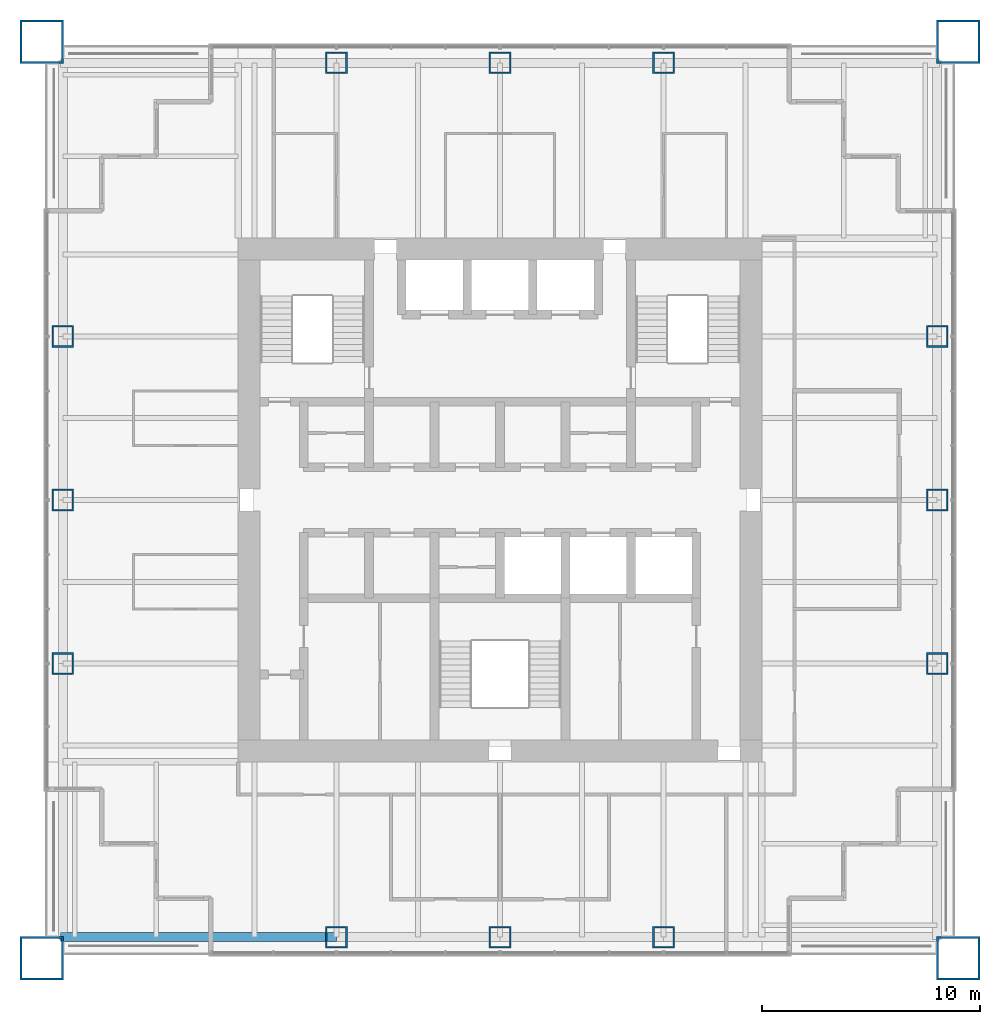
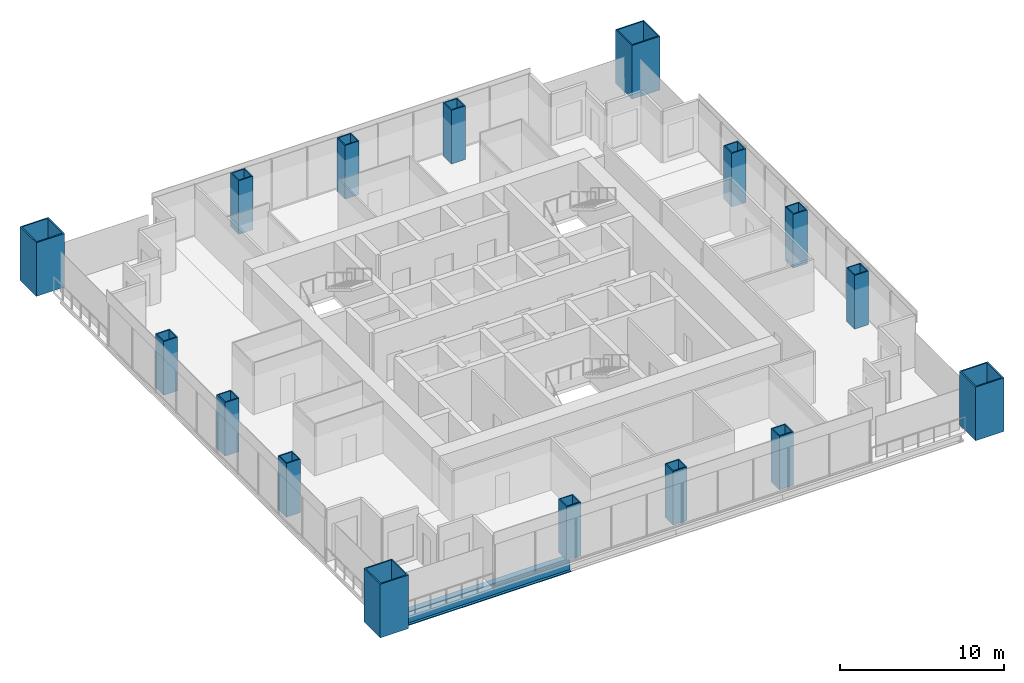
# One storey, part 1 of 14: 16 columns, 1 beam.
"""IFC4 building model written with IfcOpenShell, lengths in metres."""

from ifc_helpers import new_model, si_unit, direction, frame, origin, origin_2d, place, context, subcontext, project, spatial, hollow_rectangle, i_section, extrude, material, material_profile, profile_set, type_object, element, save


model = new_model("IFC4")

# Units and contexts
model_context = context("Model", 3, precision=1e-05, world=origin(), true_north=direction((0.0, 1.0)))
body_context = subcontext(model_context, "Body", "Model", "MODEL_VIEW")
ifc_project = project(units=[si_unit("LENGTHUNIT", "METRE"), si_unit("AREAUNIT", "SQUARE_METRE"), si_unit("VOLUMEUNIT", "CUBIC_METRE"), si_unit("PLANEANGLEUNIT", "RADIAN"), si_unit("MASSUNIT", "GRAM", prefix="KILO")], contexts=[model_context])

# Site, building, storey
site_placement = place(None, origin())
site = spatial("IfcSite", under=ifc_project, at=site_placement, CompositionType="ELEMENT")
building_placement = place(site_placement, origin())
building = spatial("IfcBuilding", under=site, at=building_placement, Name="Tarangal Relay Tower", CompositionType="ELEMENT")
storey_placement = place(building_placement, frame((0.0, 0.0, 291.89990234375)))
storey = spatial("IfcBuildingStorey", under=building, at=storey_placement, Name="L64", CompositionType="ELEMENT", Elevation=291.89990234375)

# Columns
ifc_material_1 = material(Name="Steel ASTM A572 Grade 50", Category="steel")
ifc_material_profile_1 = material_profile(ifc_material_1, hollow_rectangle(XDim=2.0, YDim=2.0, WallThickness=0.094970703125, at=origin_2d()), Name="BOX2000X2000X95")
ifc_profile_set_1 = profile_set([ifc_material_profile_1], Name="Steel ASTM A572 Grade 50")
column_type_1 = type_object("IfcColumnType", Name="Mega column BOX2000X2000X95", PredefinedType="COLUMN", material=ifc_profile_set_1)
for number, where, z_axis, x_axis, name in (
    (1, (21.0, 21.0, 0.0), (0.0, 0.0, 1.0), (1.0, 0.0, 0.0), "Mega column MC4 NE L64"),
    (2, (21.0, -21.0, 0.0), (0.0, 0.0, 1.0), (1.0, 0.0, 0.0), "Mega column MC4 SE L64"),
    (3, (-21.0, -21.0, 0.0), (0.0, 0.0, 1.0), (1.0, 0.0, 0.0), "Mega column MC4 SW L64"),
    (4, (-21.0, 21.0, 0.0), (0.0, 0.0, 1.0), (1.0, 0.0, 0.0), "Mega column MC4 NW L64"),
):
    element("IfcColumn", number, at=place(storey_placement, frame(where, z_axis=z_axis, x_axis=x_axis)), inside=storey, type_object=column_type_1, Name=name, PredefinedType="COLUMN", context=body_context, shape_type="SweptSolid", body=[
        extrude(hollow_rectangle(XDim=2.0, YDim=2.0, WallThickness=0.094970703125, at=origin_2d()), origin(), (0.0, 0.0, 1.0), 4.0),
    ])
ifc_material_profile_2 = material_profile(ifc_material_1, hollow_rectangle(XDim=1.0, YDim=1.0, WallThickness=0.074951171875, at=origin_2d()), Name="BOX1000X1000X75")
ifc_profile_set_2 = profile_set([ifc_material_profile_2], Name="Steel ASTM A572 Grade 50")
column_type_2 = type_object("IfcColumnType", Name="Perimeter column BOX1000X1000X75", PredefinedType="COLUMN", material=ifc_profile_set_2)
for number, where, z_axis, x_axis, name in (
    (5, (-7.5, 20.0400390625, 0.0), (0.0, 0.0, 1.0), (1.0, 0.0, 0.0), "Perimeter column PC5 N L64"),
    (6, (0.0, 20.0400390625, 0.0), (0.0, 0.0, 1.0), (1.0, 0.0, 0.0), "Perimeter column PC5 N L64"),
    (7, (7.5, 20.0400390625, 0.0), (0.0, 0.0, 1.0), (1.0, 0.0, 0.0), "Perimeter column PC5 N L64"),
    (8, (20.0400390625, 7.5, 0.0), (0.0, 0.0, 1.0), (1.0, 0.0, 0.0), "Perimeter column PC5 E L64"),
    (9, (20.0400390625, 0.0, 0.0), (0.0, 0.0, 1.0), (1.0, 0.0, 0.0), "Perimeter column PC5 E L64"),
    (10, (20.0400390625, -7.5, 0.0), (0.0, 0.0, 1.0), (1.0, 0.0, 0.0), "Perimeter column PC5 E L64"),
    (11, (7.5, -20.0400390625, 0.0), (0.0, 0.0, 1.0), (1.0, 0.0, 0.0), "Perimeter column PC5 S L64"),
    (12, (0.0, -20.0400390625, 0.0), (0.0, 0.0, 1.0), (1.0, 0.0, 0.0), "Perimeter column PC5 S L64"),
    (13, (-7.5, -20.0400390625, 0.0), (0.0, 0.0, 1.0), (1.0, 0.0, 0.0), "Perimeter column PC5 S L64"),
    (14, (-20.0400390625, -7.5, 0.0), (0.0, 0.0, 1.0), (1.0, 0.0, 0.0), "Perimeter column PC5 W L64"),
    (15, (-20.0400390625, 0.0, 0.0), (0.0, 0.0, 1.0), (1.0, 0.0, 0.0), "Perimeter column PC5 W L64"),
    (16, (-20.0400390625, 7.5, 0.0), (0.0, 0.0, 1.0), (1.0, 0.0, 0.0), "Perimeter column PC5 W L64"),
):
    element("IfcColumn", number, at=place(storey_placement, frame(where, z_axis=z_axis, x_axis=x_axis)), inside=storey, type_object=column_type_2, Name=name, PredefinedType="COLUMN", context=body_context, shape_type="SweptSolid", body=[
        extrude(hollow_rectangle(XDim=1.0, YDim=1.0, WallThickness=0.074951171875, at=origin_2d()), origin(), (0.0, 0.0, 1.0), 4.0),
    ])

# Beam
ifc_material_2 = material(Name="Steel ASTM A992", Category="steel")
ifc_material_profile_3 = material_profile(ifc_material_2, i_section(OverallWidth=0.41162109375, OverallDepth=1.049072265625, WebThickness=0.033935546875, FlangeThickness=0.059814453125, at=origin_2d()), Name="W40X431")
ifc_profile_set_3 = profile_set([ifc_material_profile_3], Name="Steel ASTM A992")
beam_type = type_object("IfcBeamType", Name="Edge girder W40X431", PredefinedType="SPANDREL", material=ifc_profile_set_3)
beam_placement = place(storey_placement, frame((-7.5, -20.0400390625, -0.67431640625), z_axis=(-1.0, 0.0, 0.0), x_axis=(0.0, -1.0, 0.0)))
element("IfcBeam", 17, at=beam_placement, inside=storey, type_object=beam_type, Name="Edge girder EG1 S L64", PredefinedType="SPANDREL", context=body_context, shape_type="SweptSolid", body=[
    extrude(i_section(OverallWidth=0.41162109375, OverallDepth=1.049072265625, WebThickness=0.033935546875, FlangeThickness=0.059814453125, at=origin_2d()), origin(), (0.0, 0.0, 1.0), 12.64990234375),
])

save(model, "model.ifc")
